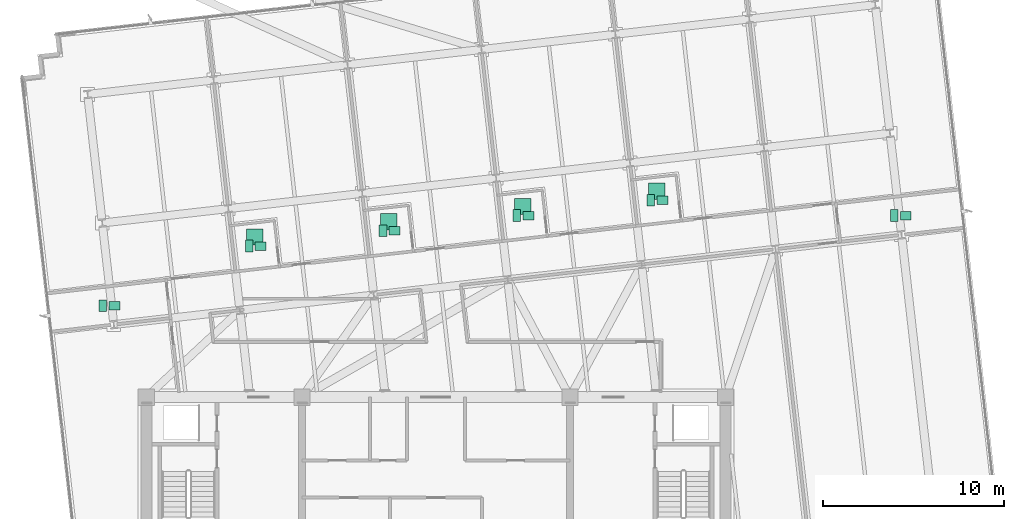
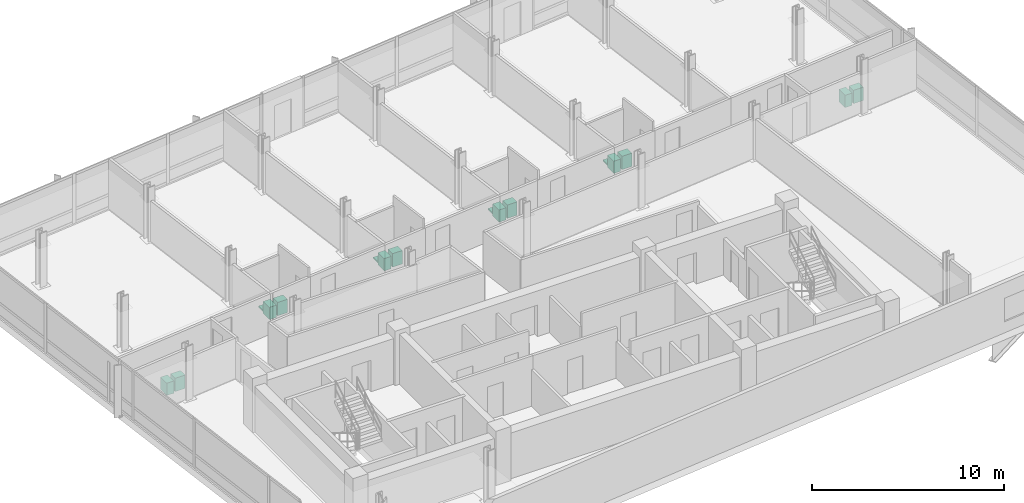
# One storey, part 15 of 15: 16 sanitary terminals.
"""IFC4 building model written with IfcOpenShell, lengths in metres."""

from ifc_helpers import new_model, si_unit, direction, frame, origin, origin_2d, place, context, subcontext, project, spatial, rectangle, extrude, material, type_object, element, save


model = new_model("IFC4")

# Units and contexts
model_context = context("Model", 3, precision=1e-05, world=origin(), true_north=direction((0.0, 1.0)))
body_context = subcontext(model_context, "Body", "Model", "MODEL_VIEW")
ifc_project = project(units=[si_unit("LENGTHUNIT", "METRE"), si_unit("AREAUNIT", "SQUARE_METRE"), si_unit("VOLUMEUNIT", "CUBIC_METRE"), si_unit("PLANEANGLEUNIT", "RADIAN"), si_unit("MASSUNIT", "GRAM", prefix="KILO")], contexts=[model_context])

# Site, building, storey
site_placement = place(None, origin())
site = spatial("IfcSite", under=ifc_project, at=site_placement, CompositionType="ELEMENT")
building_placement = place(site_placement, origin())
building = spatial("IfcBuilding", under=site, at=building_placement, Name="Solmavex Isthmus Hotel", CompositionType="ELEMENT")
storey_placement = place(building_placement, frame((0.0, 0.0, 191.699951171875)))
storey = spatial("IfcBuildingStorey", under=building, at=storey_placement, Name="L51", CompositionType="ELEMENT", Elevation=191.699951171875)

# Sanitary terminals
ifc_material = material(Name="Vitreous china ceramic", Category="ceramic")
sanitary_terminal_type_1 = type_object("IfcSanitaryTerminalType", Name="SAN-BASIN", PredefinedType="WASHHANDBASIN", material=ifc_material)
for number, where, z_axis, x_axis, name in (
    (1, (-9.6845703125, 5.84228515625, 0.0), (0.0, 0.0, 1.0), (1.0, 0.0, 0.0), "Vanity Washbasin L51-231"),
    (2, (-2.28662109375, 6.685302734375, 0.0), (0.0, 0.0, 1.0), (1.0, 0.0, 0.0), "Vanity Washbasin L51-232"),
    (3, (5.11181640625, 7.5283203125, 0.0), (0.0, 0.0, 1.0), (1.0, 0.0, 0.0), "Vanity Washbasin L51-233"),
    (4, (12.509765625, 8.37109375, 0.0), (0.0, 0.0, 1.0), (1.0, 0.0, 0.0), "Vanity Washbasin L51-234"),
    (5, (-17.761474609375, 2.546875, 0.0), (0.0, 0.0, 1.0), (1.0, 0.0, 0.0), "Vanity Washbasin L51-235"),
    (6, (25.956787109375, 7.52783203125, 0.0), (0.0, 0.0, 1.0), (1.0, 0.0, 0.0), "Vanity Washbasin L51-236"),
):
    element("IfcSanitaryTerminal", number, at=place(storey_placement, frame(where, z_axis=z_axis, x_axis=x_axis)), inside=storey, type_object=sanitary_terminal_type_1, Name=name, PredefinedType="WASHHANDBASIN", context=body_context, shape_type="SweptSolid", body=[
        extrude(rectangle(XDim=0.60009765625, YDim=0.47998046875, at=origin_2d()), origin(), (0.0, 0.0, 1.0), 0.85009765625),
    ])
sanitary_terminal_type_2 = type_object("IfcSanitaryTerminalType", Name="SAN-SHOWER", PredefinedType="SHOWER", material=ifc_material)
for number, where, z_axis, x_axis, name in (
    (7, (-10.004638671875, 6.34228515625, 0.0), (0.0, 0.0, 1.0), (1.0, 0.0, 0.0), "Walk-In Shower L51-231"),
    (8, (-2.6064453125, 7.185302734375, 0.0), (0.0, 0.0, 1.0), (1.0, 0.0, 0.0), "Walk-In Shower L51-232"),
    (9, (4.791748046875, 8.0283203125, 0.0), (0.0, 0.0, 1.0), (1.0, 0.0, 0.0), "Walk-In Shower L51-233"),
    (10, (12.189697265625, 8.87109375, 0.0), (0.0, 0.0, 1.0), (1.0, 0.0, 0.0), "Walk-In Shower L51-234"),
):
    element("IfcSanitaryTerminal", number, at=place(storey_placement, frame(where, z_axis=z_axis, x_axis=x_axis)), inside=storey, type_object=sanitary_terminal_type_2, Name=name, PredefinedType="SHOWER", context=body_context, shape_type="SweptSolid", body=[
        extrude(rectangle(XDim=0.89990234375, YDim=0.89990234375, at=origin_2d()), origin(), (0.0, 0.0, 1.0), 0.080078125),
    ])
sanitary_terminal_type_3 = type_object("IfcSanitaryTerminalType", Name="SAN-WC-SUITE", PredefinedType="TOILETPAN", material=ifc_material)
for number, where, z_axis, x_axis, name in (
    (11, (-10.32470703125, 5.84228515625, 0.0), (0.0, 0.0, 1.0), (1.0, 0.0, 0.0), "Water Closet L51-231"),
    (12, (-2.926513671875, 6.685302734375, 0.0), (0.0, 0.0, 1.0), (1.0, 0.0, 0.0), "Water Closet L51-232"),
    (13, (4.4716796875, 7.5283203125, 0.0), (0.0, 0.0, 1.0), (1.0, 0.0, 0.0), "Water Closet L51-233"),
    (14, (11.869873046875, 8.37109375, 0.0), (0.0, 0.0, 1.0), (1.0, 0.0, 0.0), "Water Closet L51-234"),
    (15, (-18.401611328125, 2.546875, 0.0), (0.0, 0.0, 1.0), (1.0, 0.0, 0.0), "Water Closet L51-235"),
    (16, (25.316650390625, 7.52783203125, 0.0), (0.0, 0.0, 1.0), (1.0, 0.0, 0.0), "Water Closet L51-236"),
):
    element("IfcSanitaryTerminal", number, at=place(storey_placement, frame(where, z_axis=z_axis, x_axis=x_axis)), inside=storey, type_object=sanitary_terminal_type_3, Name=name, PredefinedType="TOILETPAN", context=body_context, shape_type="SweptSolid", body=[
        extrude(rectangle(XDim=0.419921875, YDim=0.64990234375, at=origin_2d()), origin(), (0.0, 0.0, 1.0), 0.780029296875),
    ])

save(model, "model.ifc")
